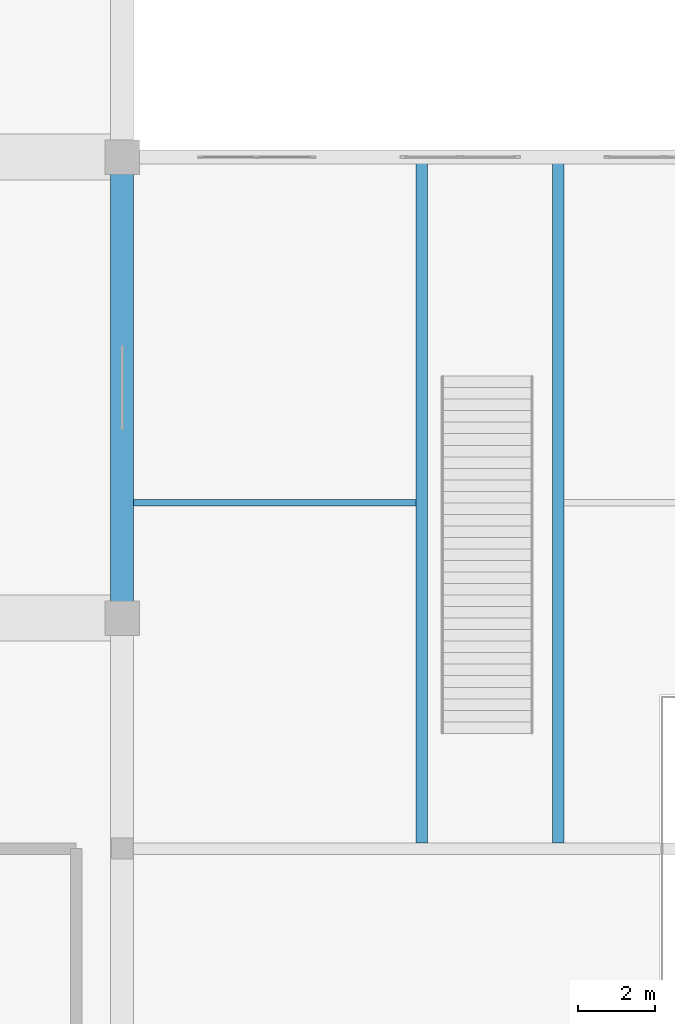
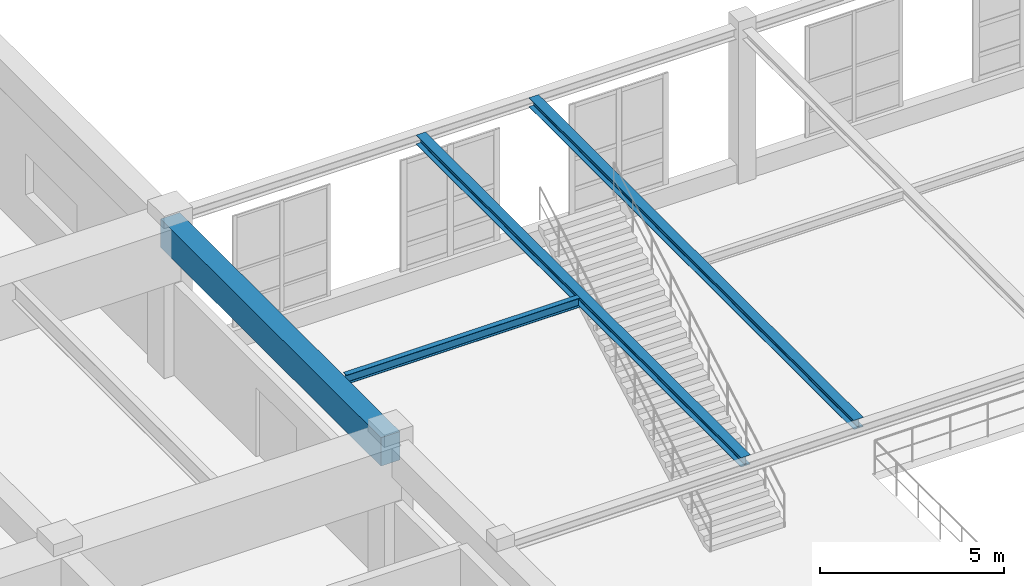
# One storey, part 78 of 197: 4 beams.
"""IFC4 building model written with IfcOpenShell, lengths in metres."""

from ifc_helpers import new_model, si_unit, derived_unit, direction, frame, origin, origin_2d, place, context, subcontext, project, spatial, rectangle, i_section, extrude, material, material_profile, profile_set, type_object, element, save


model = new_model("IFC4")

# Units and contexts
model_context = context("Model", 3, precision=1e-05, world=origin(), true_north=direction((0.0, 1.0)))
body_context = subcontext(model_context, "Body", "Model", "MODEL_VIEW")
ifc_project = project(units=[si_unit("LENGTHUNIT", "METRE"), si_unit("AREAUNIT", "SQUARE_METRE"), si_unit("VOLUMEUNIT", "CUBIC_METRE"), si_unit("PLANEANGLEUNIT", "RADIAN"), si_unit("MASSUNIT", "GRAM", prefix="KILO"), derived_unit("THERMALTRANSMITTANCEUNIT", [(si_unit("POWERUNIT", "WATT"), 1), (si_unit("LENGTHUNIT", "METRE"), -2), (si_unit("THERMODYNAMICTEMPERATUREUNIT", "KELVIN"), -1)])], contexts=[model_context])

# Site, building, storey
site_placement = place(None, origin())
site = spatial("IfcSite", under=ifc_project, at=site_placement, CompositionType="ELEMENT")
building_placement = place(site_placement, origin())
building = spatial("IfcBuilding", under=site, at=building_placement, Name="Almenara Railside Exhibition Hall", CompositionType="ELEMENT")
storey_placement = place(building_placement, frame((0.0, 0.0, 5.39990234375)))
storey = spatial("IfcBuildingStorey", under=building, at=storey_placement, Name="L01", CompositionType="ELEMENT", Elevation=5.39990234375)

# Beams
ifc_material_1 = material(Name="Concrete C40/50", Category="concrete")
ifc_material_profile_1 = material_profile(ifc_material_1, rectangle(XDim=0.60009765625, YDim=0.949951171875, at=origin_2d()), Name="RC 600x950")
ifc_profile_set_1 = profile_set([ifc_material_profile_1], Name="Concrete C40/50")
beam_type_1 = type_object("IfcBeamType", Name="RC Hall Edge Beam 600x950 C40/50", PredefinedType="BEAM", material=ifc_profile_set_1)
beam_1_placement = place(storey_placement, frame((66.0, 96.0, 4.52099609375), z_axis=(0.0, 1.0, 0.0), x_axis=(-1.0, 0.0, 0.0)))
element("IfcBeam", 1, at=beam_1_placement, inside=storey, type_object=beam_type_1, Name="Beam 0636", PredefinedType="BEAM", context=body_context, shape_type="SweptSolid", body=[
    extrude(rectangle(XDim=0.60009765625, YDim=0.949951171875, at=origin_2d()), origin(), (0.0, 0.0, 1.0), 12.0),
])
ifc_material_2 = material(Name="Structural steel S355JR", Category="steel")
ifc_material_profile_2 = material_profile(ifc_material_2, i_section(OverallWidth=0.300048828125, OverallDepth=0.31005859375, WebThickness=0.009033203125, FlangeThickness=0.015380859375, FilletRadius=0.027099609375, at=origin_2d()), Name="HEA 320")
ifc_profile_set_2 = profile_set([ifc_material_profile_2], Name="Structural steel S355JR")
beam_type_2 = type_object("IfcBeamType", Name="Steel Concourse Edge Beam HEA 320 S355JR", PredefinedType="BEAM", material=ifc_profile_set_2)
for number, where, z_axis, x_axis, name in (
    (2, (73.800048828125, 90.14990234375, 4.93505859375), (0.0, 1.0, 0.0), (-1.0, 0.0, 0.0), "Beam 0730"),
    (3, (77.35009765625, 90.14990234375, 4.93505859375), (0.0, 1.0, 0.0), (-1.0, 0.0, 0.0), "Beam 0731"),
):
    element("IfcBeam", number, at=place(storey_placement, frame(where, z_axis=z_axis, x_axis=x_axis)), inside=storey, type_object=beam_type_2, Name=name, PredefinedType="BEAM", context=body_context, shape_type="SweptSolid", body=[
        extrude(i_section(OverallWidth=0.300048828125, OverallDepth=0.31005859375, WebThickness=0.009033203125, FlangeThickness=0.015380859375, FilletRadius=0.027099609375, at=origin_2d()), origin(), (0.0, 0.0, 1.0), 17.7001953125),
    ])
ifc_material_profile_3 = material_profile(ifc_material_2, i_section(OverallWidth=0.165771484375, OverallDepth=0.306640625, WebThickness=0.006591796875, FlangeThickness=0.01171875, FilletRadius=0.0087890625, at=origin_2d()), Name="UB 305x165x46")
ifc_profile_set_3 = profile_set([ifc_material_profile_3], Name="Structural steel S355JR")
beam_type_3 = type_object("IfcBeamType", Name="Steel Walkway Joist UB 305x165x46 S355JR", PredefinedType="JOIST", material=ifc_profile_set_3)
beam_2_placement = place(storey_placement, frame((66.300048828125, 99.0, 4.936767578125), z_axis=(1.0, 0.0, 0.0), x_axis=(0.0, 1.0, 0.0)))
element("IfcBeam", 4, at=beam_2_placement, inside=storey, type_object=beam_type_3, Name="Beam 0800", PredefinedType="JOIST", context=body_context, shape_type="SweptSolid", body=[
    extrude(i_section(OverallWidth=0.165771484375, OverallDepth=0.306640625, WebThickness=0.006591796875, FlangeThickness=0.01171875, FilletRadius=0.0087890625, at=origin_2d()), origin(), (0.0, 0.0, 1.0), 7.349853515625),
])

save(model, "model.ifc")
